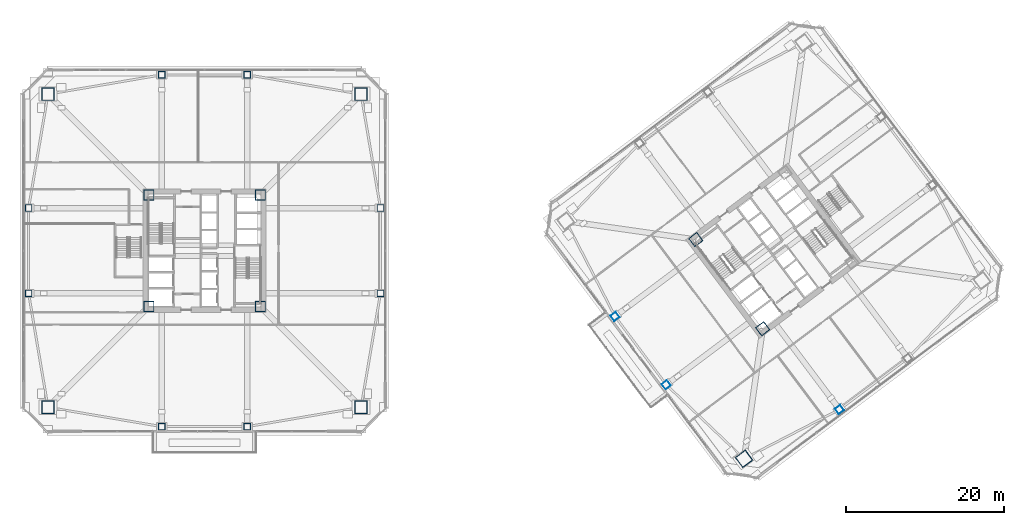
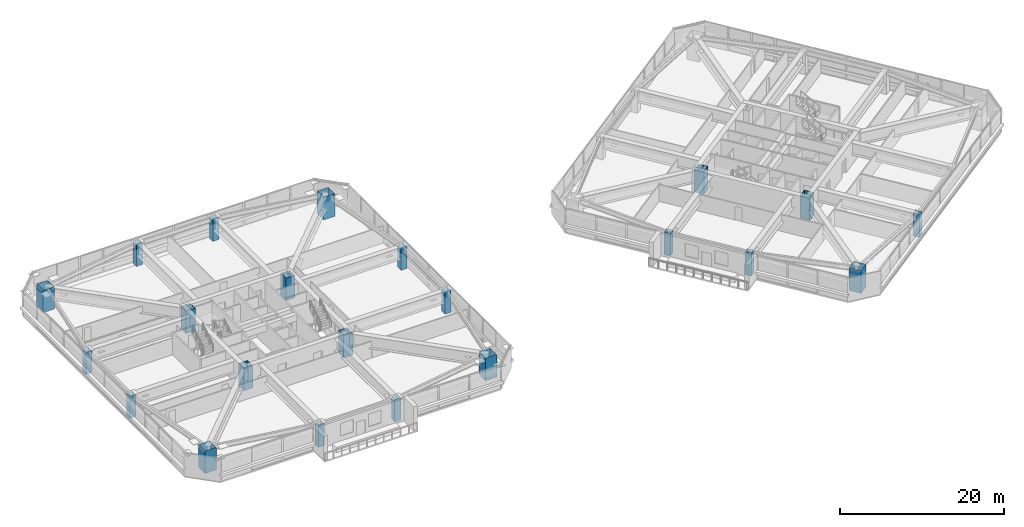
# One storey, part 1 of 48: 22 columns.
"""IFC4 building model written with IfcOpenShell, lengths in metres."""

from ifc_helpers import new_model, si_unit, direction, frame, origin, origin_2d, place, context, subcontext, project, spatial, hollow_rectangle, extrude, material, material_profile, profile_set, type_object, element, save


model = new_model("IFC4")

# Units and contexts
model_context = context("Model", 3, precision=1e-05, world=origin(), true_north=direction((0.0, 1.0)))
body_context = subcontext(model_context, "Body", "Model", "MODEL_VIEW")
ifc_project = project(units=[si_unit("LENGTHUNIT", "METRE"), si_unit("AREAUNIT", "SQUARE_METRE"), si_unit("VOLUMEUNIT", "CUBIC_METRE"), si_unit("PLANEANGLEUNIT", "RADIAN"), si_unit("MASSUNIT", "GRAM", prefix="KILO")], contexts=[model_context])

# Site, building, storey
site_placement = place(None, origin())
site = spatial("IfcSite", under=ifc_project, at=site_placement, CompositionType="ELEMENT")
building_placement = place(site_placement, origin())
building = spatial("IfcBuilding", under=site, at=building_placement, Name="Tashvorn Skyway Center", CompositionType="ELEMENT")
storey_placement = place(building_placement, frame((0.0, 0.0, 63.64990234375)))
storey = spatial("IfcBuildingStorey", under=building, at=storey_placement, Name="L16", CompositionType="ELEMENT", Elevation=63.64990234375)

# Columns
ifc_material = material(Name="Steel ASTM A572 Grade 50", Category="steel")
ifc_material_profile_1 = material_profile(ifc_material, hollow_rectangle(XDim=1.300048828125, YDim=1.300048828125, WallThickness=0.050048828125, at=origin_2d()), Name="BOX1300x1300x50")
ifc_profile_set_1 = profile_set([ifc_material_profile_1], Name="Steel ASTM A572 Grade 50")
column_type_1 = type_object("IfcColumnType", Name="COL-BOX1300x1300x50", PredefinedType="COLUMN", material=ifc_profile_set_1)
for number, where, z_axis, x_axis, name in (
    (1, (34.949951171875, 24.949951171875, 0.0), (0.0, 0.0, 1.0), (1.0, 0.0, 0.0), "Tower 1 L16 Core Corner Column CC-SW"),
    (2, (49.050048828125, 24.949951171875, 0.0), (0.0, 0.0, 1.0), (1.0, 0.0, 0.0), "Tower 1 L16 Core Corner Column CC-SE"),
    (3, (49.050048828125, 39.050048828125, 0.0), (0.0, 0.0, 1.0), (1.0, 0.0, 0.0), "Tower 1 L16 Core Corner Column CC-NE"),
    (4, (34.949951171875, 39.050048828125, 0.0), (0.0, 0.0, 1.0), (1.0, 0.0, 0.0), "Tower 1 L16 Core Corner Column CC-NW"),
    (5, (112.590087890625, 22.1298828125, 0.0), (0.0, 0.0, 1.0), (0.799999996291, 0.600000004945, 0.0), "Tower 2 L16 Core Corner Column CC-SW"),
    (6, (104.1298828125, 33.409912109375, 0.0), (0.0, 0.0, 1.0), (0.799999996291, 0.600000004945, 0.0), "Tower 2 L16 Core Corner Column CC-NW"),
):
    element("IfcColumn", number, at=place(storey_placement, frame(where, z_axis=z_axis, x_axis=x_axis)), inside=storey, type_object=column_type_1, Name=name, PredefinedType="COLUMN", context=body_context, shape_type="SweptSolid", body=[
        extrude(hollow_rectangle(XDim=1.300048828125, YDim=1.300048828125, WallThickness=0.050048828125, at=origin_2d()), origin(), (0.0, 0.0, 1.0), 3.35009765625),
    ])
ifc_material_profile_2 = material_profile(ifc_material, hollow_rectangle(XDim=1.60009765625, YDim=1.60009765625, WallThickness=0.06005859375, at=origin_2d()), Name="BOX1600x1600x60")
ifc_profile_set_2 = profile_set([ifc_material_profile_2], Name="Steel ASTM A572 Grade 50")
column_type_2 = type_object("IfcColumnType", Name="COL-BOX1600x1600x60", PredefinedType="COLUMN", material=ifc_profile_set_2)
for number, where, z_axis, x_axis, name in (
    (7, (22.199951171875, 12.199951171875, 0.0), (0.0, 0.0, 1.0), (1.0, 0.0, 0.0), "Tower 1 L16 Mega-Column MC-SW"),
    (8, (61.800048828125, 12.199951171875, 0.0), (0.0, 0.0, 1.0), (1.0, 0.0, 0.0), "Tower 1 L16 Mega-Column MC-SE"),
    (9, (61.800048828125, 51.800048828125, 0.0), (0.0, 0.0, 1.0), (1.0, 0.0, 0.0), "Tower 1 L16 Mega-Column MC-NE"),
    (10, (22.199951171875, 51.800048828125, 0.0), (0.0, 0.0, 1.0), (1.0, 0.0, 0.0), "Tower 1 L16 Mega-Column MC-NW"),
    (11, (110.239990234375, 5.679931640625, 0.0), (0.0, 0.0, 1.0), (0.799999996291, 0.600000004945, 0.0), "Tower 2 L16 Mega-Column MC-SW"),
):
    element("IfcColumn", number, at=place(storey_placement, frame(where, z_axis=z_axis, x_axis=x_axis)), inside=storey, type_object=column_type_2, Name=name, PredefinedType="COLUMN", context=body_context, shape_type="SweptSolid", body=[
        extrude(hollow_rectangle(XDim=1.60009765625, YDim=1.60009765625, WallThickness=0.06005859375, at=origin_2d()), origin(), (0.0, 0.0, 1.0), 3.35009765625),
    ])
ifc_material_profile_3 = material_profile(ifc_material, hollow_rectangle(XDim=0.85009765625, YDim=0.85009765625, WallThickness=0.034912109375, at=origin_2d()), Name="BOX850x850x35")
ifc_profile_set_3 = profile_set([ifc_material_profile_3], Name="Steel ASTM A572 Grade 50")
column_type_3 = type_object("IfcColumnType", Name="COL-BOX850x850x35", PredefinedType="COLUMN", material=ifc_profile_set_3)
for number, where, z_axis, x_axis, name in (
    (12, (36.60009765625, 9.75, 0.0), (0.0, 0.0, 1.0), (1.0, 0.0, 0.0), "Tower 1 L16 Perimeter Column FC-S1"),
    (13, (47.39990234375, 9.75, 0.0), (0.0, 0.0, 1.0), (1.0, 0.0, 0.0), "Tower 1 L16 Perimeter Column FC-S2"),
    (14, (64.25, 26.60009765625, 0.0), (0.0, 0.0, 1.0), (1.0, 0.0, 0.0), "Tower 1 L16 Perimeter Column FC-E1"),
    (15, (64.25, 37.39990234375, 0.0), (0.0, 0.0, 1.0), (1.0, 0.0, 0.0), "Tower 1 L16 Perimeter Column FC-E2"),
    (16, (47.39990234375, 54.25, 0.0), (0.0, 0.0, 1.0), (1.0, 0.0, 0.0), "Tower 1 L16 Perimeter Column FC-N1"),
    (17, (36.60009765625, 54.25, 0.0), (0.0, 0.0, 1.0), (1.0, 0.0, 0.0), "Tower 1 L16 Perimeter Column FC-N2"),
    (18, (19.75, 37.39990234375, 0.0), (0.0, 0.0, 1.0), (1.0, 0.0, 0.0), "Tower 1 L16 Perimeter Column FC-W1"),
    (19, (19.75, 26.60009765625, 0.0), (0.0, 0.0, 1.0), (1.0, 0.0, 0.0), "Tower 1 L16 Perimeter Column FC-W2"),
    (20, (122.31005859375, 11.919921875, 0.0), (0.0, 0.0, 1.0), (0.799999996291, 0.600000004945, 0.0), "Tower 2 L16 Perimeter Column FC-S1"),
    (21, (93.919921875, 23.68994140625, 0.0), (0.0, 0.0, 1.0), (0.799999996291, 0.600000004945, 0.0), "Tower 2 L16 Perimeter Column FC-W1"),
    (22, (100.39990234375, 15.050048828125, 0.0), (0.0, 0.0, 1.0), (0.799999996291, 0.600000004945, 0.0), "Tower 2 L16 Perimeter Column FC-W2"),
):
    element("IfcColumn", number, at=place(storey_placement, frame(where, z_axis=z_axis, x_axis=x_axis)), inside=storey, type_object=column_type_3, Name=name, PredefinedType="COLUMN", context=body_context, shape_type="SweptSolid", body=[
        extrude(hollow_rectangle(XDim=0.85009765625, YDim=0.85009765625, WallThickness=0.034912109375, at=origin_2d()), origin(), (0.0, 0.0, 1.0), 3.35009765625),
    ])

save(model, "model.ifc")
